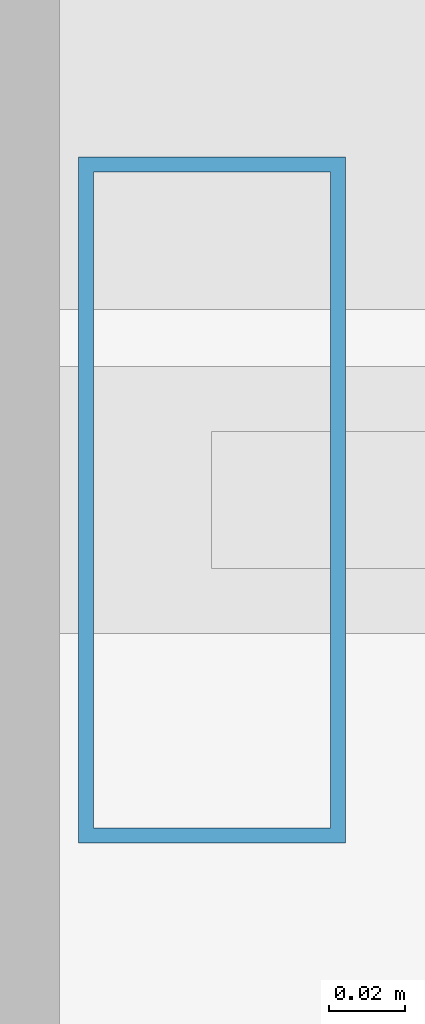
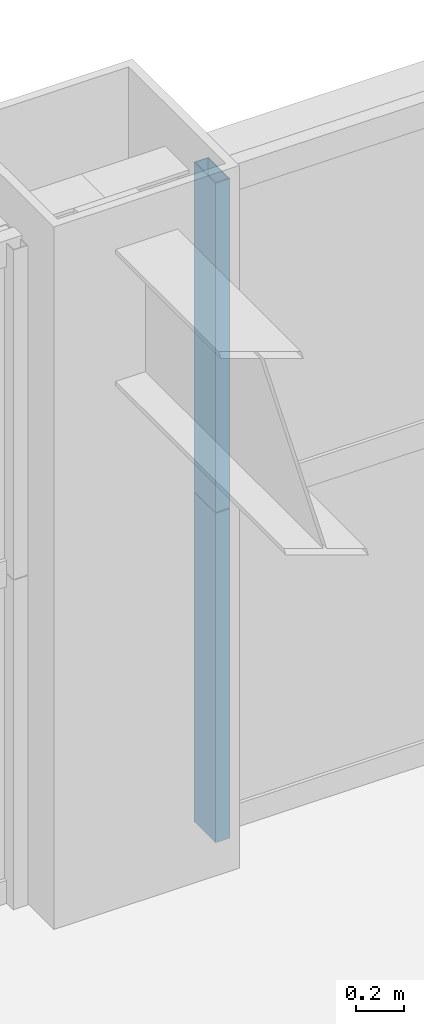
# One storey, part 29 of 42: 2 members, 1 element without a shape of its own.
"""IFC4 building model written with IfcOpenShell, lengths in metres."""

from ifc_helpers import new_model, si_unit, direction, frame, origin, origin_2d, place, context, subcontext, project, spatial, hollow_rectangle, extrude, source, transform, mapped, material, layer, layer_set, material_profile, profile_set, type_object, element, aggregate, save


model = new_model("IFC4")

# Units and contexts
model_context = context("Model", 3, precision=1e-05, world=origin(), true_north=direction((0.0, 1.0)))
body_context = subcontext(model_context, "Body", "Model", "MODEL_VIEW")
ifc_project = project(units=[si_unit("LENGTHUNIT", "METRE"), si_unit("AREAUNIT", "SQUARE_METRE"), si_unit("VOLUMEUNIT", "CUBIC_METRE"), si_unit("PLANEANGLEUNIT", "RADIAN"), si_unit("MASSUNIT", "GRAM", prefix="KILO"), si_unit("THERMODYNAMICTEMPERATUREUNIT", "KELVIN"), si_unit("POWERUNIT", "WATT")], contexts=[model_context])

# Site, building, storey
site_placement = place(None, origin())
site = spatial("IfcSite", under=ifc_project, at=site_placement, CompositionType="ELEMENT")
building_placement = place(site_placement, origin())
building = spatial("IfcBuilding", under=site, at=building_placement, Name="Yuzanri Waterfront Tower", CompositionType="ELEMENT")
storey_placement = place(building_placement, frame((0.0, 0.0, 145.199951171875)))
storey = spatial("IfcBuildingStorey", under=building, at=storey_placement, Name="L38", CompositionType="ELEMENT", Elevation=145.199951171875)

# Curtain wall, members
ifc_material_1 = material(Name="Anodized Architectural Bronze", Category="metal")
ifc_layer = layer(ifc_material_1, 0.159912109375)
ifc_layer_set = layer_set([ifc_layer], Name="Anodized Architectural Bronze")
curtain_wall_type = type_object("IfcCurtainWallType", Name="Anodized Bronze Hotel Upper-Tier Solar-Control Unitized Curtain Wall 7800", PredefinedType="NOTDEFINED", material=ifc_layer_set)
curtain_wall_placement = place(storey_placement, origin())
curtain_wall = element("IfcCurtainWall", 1, at=curtain_wall_placement, inside=storey, type_object=curtain_wall_type, Name="L38 Curtain Wall CW-L38-NR", PredefinedType="NOTDEFINED")
ifc_material_2 = material(Name="Anodized Architectural Bronze", Category="metal")
ifc_material_profile = material_profile(ifc_material_2, hollow_rectangle(XDim=0.070068359375, YDim=0.179931640625, WallThickness=0.00390625, at=origin_2d()), Name="CWM 70x180")
ifc_profile_set = profile_set([ifc_material_profile], Name="Anodized Architectural Bronze")
member_type = type_object("IfcMemberType", Name="Anodized Bronze Standard Curtain-Wall Mullion 70x180", PredefinedType="MULLION", material=ifc_profile_set)
shared_shape = source(origin(), body_context, "Body", "SweptSolid", [
    extrude(hollow_rectangle(XDim=0.070068359375, YDim=0.179931640625, WallThickness=0.00390625, at=origin_2d()), origin(), (0.0, 0.0, 1.0), 1.68798828125),
])
member_1_placement = place(storey_placement, frame((37.489990234375, 49.25, 0.0), z_axis=(0.0, 0.0, 1.0), x_axis=(1.0, 0.0, 0.0)))
member_1 = element("IfcMember", 2, at=member_1_placement, type_object=member_type, Name="CW-L38-NR Lower Mullion 00", PredefinedType="MULLION", context=body_context, shape_type="MappedRepresentation", body=[
    mapped(shared_shape, transform((0.0, 0.0, 0.0), scale=1.0)),
])
member_2_placement = place(storey_placement, frame((37.489990234375, 49.25, 1.692138671875), z_axis=(0.0, 0.0, 1.0), x_axis=(1.0, 0.0, 0.0)))
member_2 = element("IfcMember", 3, at=member_2_placement, type_object=member_type, Name="CW-L38-NR Upper Mullion 00", PredefinedType="MULLION", context=body_context, shape_type="MappedRepresentation", body=[
    mapped(shared_shape, transform((0.0, 0.0, 0.0), scale=1.0)),
])
aggregate(curtain_wall, [member_1, member_2])

save(model, "model.ifc")
